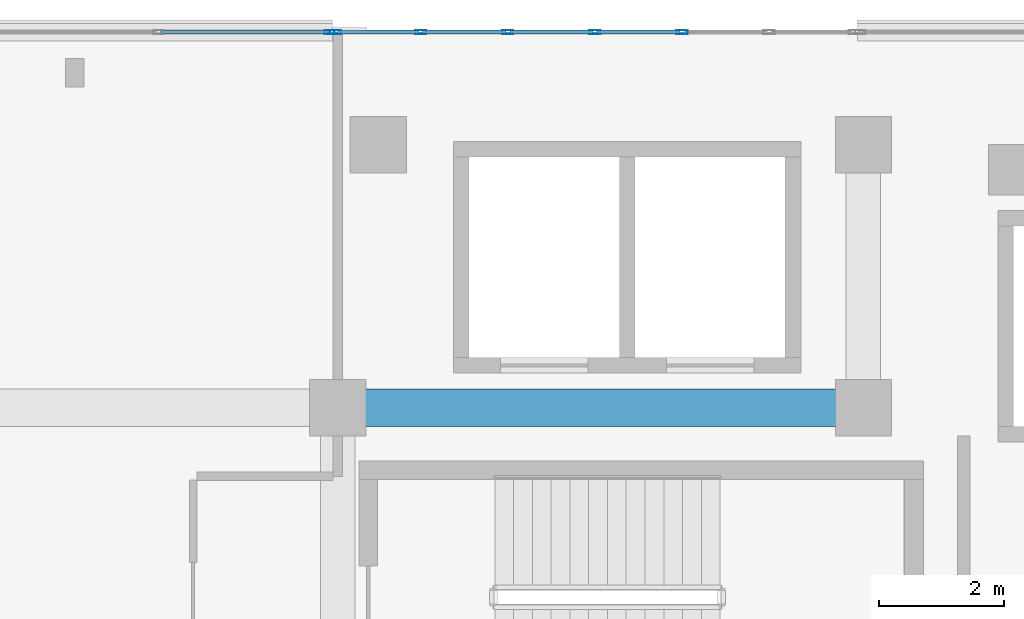
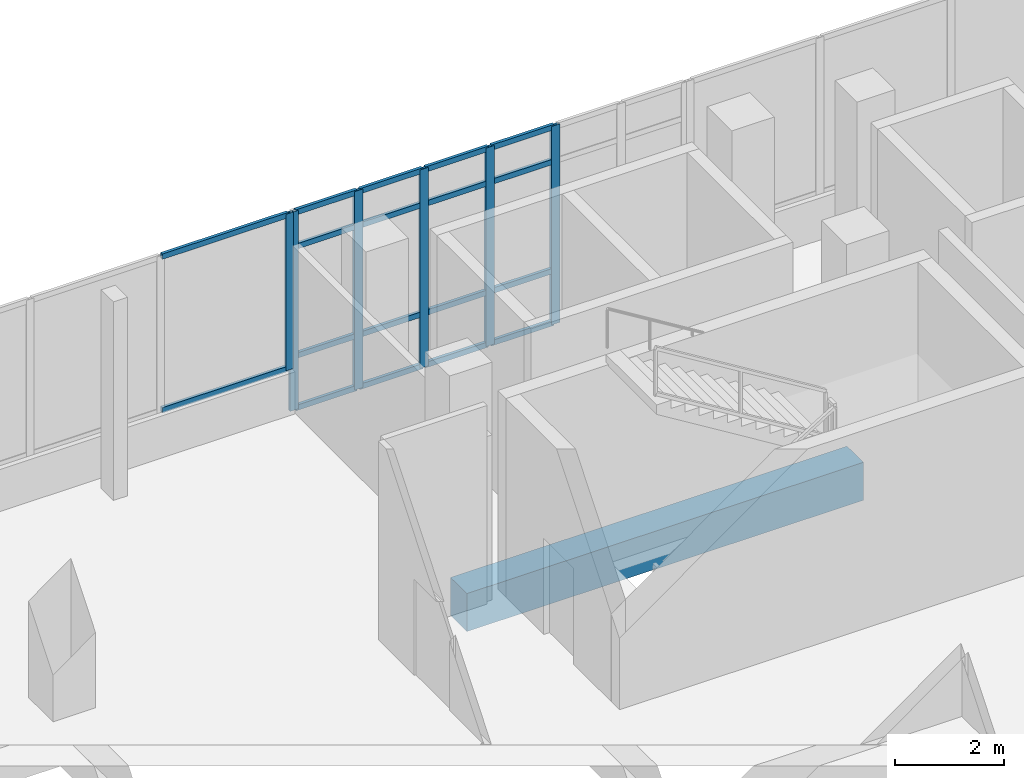
# One storey, part 82 of 168: 24 members, 1 beam, 2 elements without a shape of their own.
"""IFC4 building model written with IfcOpenShell, lengths in metres."""

from ifc_helpers import new_model, si_unit, direction, frame, origin, origin_2d, place, context, subcontext, project, spatial, rectangle, hollow_rectangle, extrude, material, material_profile, profile_set, type_object, element, aggregate, save


model = new_model("IFC4")

# Units and contexts
model_context = context("Model", 3, precision=1e-05, world=origin(), true_north=direction((0.0, 1.0)))
body_context = subcontext(model_context, "Body", "Model", "MODEL_VIEW")
ifc_project = project(units=[si_unit("LENGTHUNIT", "METRE"), si_unit("AREAUNIT", "SQUARE_METRE"), si_unit("VOLUMEUNIT", "CUBIC_METRE"), si_unit("PLANEANGLEUNIT", "RADIAN"), si_unit("MASSUNIT", "GRAM", prefix="KILO")], contexts=[model_context])

# Site, building, storey
site_placement = place(None, origin())
site = spatial("IfcSite", under=ifc_project, at=site_placement, CompositionType="ELEMENT")
building_placement = place(site_placement, origin())
building = spatial("IfcBuilding", under=site, at=building_placement, Name="Selatvlak General Hospital", CompositionType="ELEMENT")
storey_placement = place(building_placement, frame((0.0, 0.0, 5.39990234375)))
storey = spatial("IfcBuildingStorey", under=building, at=storey_placement, Name="L01", CompositionType="ELEMENT", Elevation=5.39990234375)

# Beam
ifc_material_1 = material(Name="Concrete C40/50", Category="concrete")
ifc_material_profile_1 = material_profile(ifc_material_1, rectangle(XDim=0.60009765625, YDim=0.85009765625, at=origin_2d()), Name="RC-BM 600x850")
ifc_profile_set_1 = profile_set([ifc_material_profile_1], Name="Concrete C40/50")
beam_type = type_object("IfcBeamType", Name="BM-G01", PredefinedType="BEAM", material=ifc_profile_set_1)
beam_placement = place(storey_placement, frame((48.0, 114.0, -0.744873046875), z_axis=(1.0, 0.0, 0.0), x_axis=(0.0, 1.0, 0.0)))
element("IfcBeam", 1, at=beam_placement, inside=storey, type_object=beam_type, Name="Beam BMR-L01-0514", PredefinedType="BEAM", context=body_context, shape_type="SweptSolid", body=[
    extrude(rectangle(XDim=0.60009765625, YDim=0.85009765625, at=origin_2d()), origin(), (0.0, 0.0, 1.0), 8.39990234375),
])

# Curtain wall, member
ifc_material_2 = material(Name="Solar-control Low-E double glazing", Category="glass")
curtain_wall_type_1 = type_object("IfcCurtainWallType", Name="CW-CW-02", PredefinedType="USERDEFINED", material=ifc_material_2)
curtain_wall_1_placement = place(storey_placement, origin())
curtain_wall_1 = element("IfcCurtainWall", 2, at=curtain_wall_1_placement, inside=storey, type_object=curtain_wall_type_1, Name="Glazed facade curtain wall CW-L01-0115", ObjectType="UNITISED CURTAIN WALL", PredefinedType="USERDEFINED")
ifc_material_3 = material(Name="Dark anodised aluminium mullion", Category="aluminium")
ifc_material_profile_2 = material_profile(ifc_material_3, hollow_rectangle(XDim=0.06494140625, YDim=0.159912109375, WallThickness=0.00390625, at=origin_2d()), Name="AL-MUL 65x160x4")
ifc_profile_set_2 = profile_set([ifc_material_profile_2], Name="Dark anodised aluminium mullion")
member_type_1 = type_object("IfcMemberType", Name="CWM-01", PredefinedType="MULLION", material=ifc_profile_set_2)
member_1_placement = place(storey_placement, frame((47.87255859375, 119.9990234375, 0.940185546875), z_axis=(0.0, 0.0, 1.0), x_axis=(0.0, 1.0, 0.0)))
member_1 = element("IfcMember", 3, at=member_1_placement, type_object=member_type_1, Name="CW-02 mullion 4", PredefinedType="MULLION", context=body_context, shape_type="SweptSolid", body=[
    extrude(hollow_rectangle(XDim=0.06494140625, YDim=0.159912109375, WallThickness=0.00390625, at=origin_2d()), origin(), (0.0, 0.0, 1.0), 3.5048828125),
])

# Curtain wall, members
curtain_wall_type_2 = type_object("IfcCurtainWallType", Name="CW-CW-04", PredefinedType="USERDEFINED", material=ifc_material_2)
curtain_wall_2_placement = place(storey_placement, origin())
curtain_wall_2 = element("IfcCurtainWall", 4, at=curtain_wall_2_placement, inside=storey, type_object=curtain_wall_type_2, Name="Glazed facade curtain wall CW-L01-0116", ObjectType="STICK GLAZING WALL", PredefinedType="USERDEFINED")
ifc_material_profile_3 = material_profile(ifc_material_3, hollow_rectangle(XDim=0.06494140625, YDim=0.179931640625, WallThickness=0.00439453125, at=origin_2d()), Name="AL-MUL 65x180x4.5")
ifc_profile_set_3 = profile_set([ifc_material_profile_3], Name="Dark anodised aluminium mullion")
member_type_2 = type_object("IfcMemberType", Name="CWM-02", PredefinedType="MULLION", material=ifc_profile_set_3)
member_2_placement = place(storey_placement, frame((47.967529296875, 119.9990234375, 0.0), z_axis=(0.0, 0.0, 1.0), x_axis=(0.0, 1.0, 0.0)))
member_2 = element("IfcMember", 5, at=member_2_placement, type_object=member_type_2, Name="CW-04 mullion 1", PredefinedType="MULLION", context=body_context, shape_type="SweptSolid", body=[
    extrude(hollow_rectangle(XDim=0.06494140625, YDim=0.179931640625, WallThickness=0.00439453125, at=origin_2d()), origin(), (0.0, 0.0, 1.0), 4.445068359375),
])
member_3_placement = place(storey_placement, frame((49.32666015625, 119.9990234375, 0.0), z_axis=(0.0, 0.0, 1.0), x_axis=(0.0, 1.0, 0.0)))
member_3 = element("IfcMember", 6, at=member_3_placement, type_object=member_type_2, Name="CW-04 mullion 2", PredefinedType="MULLION", context=body_context, shape_type="SweptSolid", body=[
    extrude(hollow_rectangle(XDim=0.06494140625, YDim=0.179931640625, WallThickness=0.00439453125, at=origin_2d()), origin(), (0.0, 0.0, 1.0), 4.445068359375),
])
member_4_placement = place(storey_placement, frame((50.71826171875, 119.9990234375, 0.0), z_axis=(0.0, 0.0, 1.0), x_axis=(0.0, 1.0, 0.0)))
member_4 = element("IfcMember", 7, at=member_4_placement, type_object=member_type_2, Name="CW-04 mullion 3", PredefinedType="MULLION", context=body_context, shape_type="SweptSolid", body=[
    extrude(hollow_rectangle(XDim=0.06494140625, YDim=0.179931640625, WallThickness=0.00439453125, at=origin_2d()), origin(), (0.0, 0.0, 1.0), 4.445068359375),
])
member_5_placement = place(storey_placement, frame((52.110107421875, 119.9990234375, 0.0), z_axis=(0.0, 0.0, 1.0), x_axis=(0.0, 1.0, 0.0)))
member_5 = element("IfcMember", 8, at=member_5_placement, type_object=member_type_2, Name="CW-04 mullion 4", PredefinedType="MULLION", context=body_context, shape_type="SweptSolid", body=[
    extrude(hollow_rectangle(XDim=0.06494140625, YDim=0.179931640625, WallThickness=0.00439453125, at=origin_2d()), origin(), (0.0, 0.0, 1.0), 4.445068359375),
])
member_6_placement = place(storey_placement, frame((53.501708984375, 119.9990234375, 0.0), z_axis=(0.0, 0.0, 1.0), x_axis=(0.0, 1.0, 0.0)))
member_6 = element("IfcMember", 9, at=member_6_placement, type_object=member_type_2, Name="CW-04 mullion 5", PredefinedType="MULLION", context=body_context, shape_type="SweptSolid", body=[
    extrude(hollow_rectangle(XDim=0.06494140625, YDim=0.179931640625, WallThickness=0.00439453125, at=origin_2d()), origin(), (0.0, 0.0, 1.0), 4.445068359375),
])

# Member
ifc_material_profile_4 = material_profile(ifc_material_3, hollow_rectangle(XDim=0.06494140625, YDim=0.1201171875, WallThickness=0.00390625, at=origin_2d()), Name="AL-TRN 65x120x4")
ifc_profile_set_4 = profile_set([ifc_material_profile_4], Name="Dark anodised aluminium mullion")
member_type_3 = type_object("IfcMemberType", Name="CWT-01", PredefinedType="USERDEFINED", material=ifc_profile_set_4)
member_7_placement = place(storey_placement, frame((45.1708984375, 119.9990234375, 0.97265625), z_axis=(1.0, 0.0, 0.0), x_axis=(0.0, 1.0, 0.0)))
member_7 = element("IfcMember", 10, at=member_7_placement, type_object=member_type_3, Name="CW-02 transom 3.1", ObjectType="TRANSOM", PredefinedType="USERDEFINED", context=body_context, shape_type="SweptSolid", body=[
    extrude(hollow_rectangle(XDim=0.06494140625, YDim=0.1201171875, WallThickness=0.00390625, at=origin_2d()), origin(), (0.0, 0.0, 1.0), 2.669189453125),
])

member_8_placement = place(storey_placement, frame((45.1708984375, 119.9990234375, 4.41259765625), z_axis=(1.0, 0.0, 0.0), x_axis=(0.0, 1.0, 0.0)))
member_8 = element("IfcMember", 11, at=member_8_placement, type_object=member_type_3, Name="CW-02 transom 3.2", ObjectType="TRANSOM", PredefinedType="USERDEFINED", context=body_context, shape_type="SweptSolid", body=[
    extrude(hollow_rectangle(XDim=0.06494140625, YDim=0.1201171875, WallThickness=0.00390625, at=origin_2d()), origin(), (0.0, 0.0, 1.0), 2.669189453125),
])

aggregate(curtain_wall_1, [member_1, member_7, member_8])

member_9_placement = place(storey_placement, frame((48.0, 119.9990234375, 0.03271484375), z_axis=(1.0, 0.0, 0.0), x_axis=(0.0, 1.0, 0.0)))
member_9 = element("IfcMember", 12, at=member_9_placement, type_object=member_type_3, Name="CW-04 transom 1.1", ObjectType="TRANSOM", PredefinedType="USERDEFINED", context=body_context, shape_type="SweptSolid", body=[
    extrude(hollow_rectangle(XDim=0.06494140625, YDim=0.1201171875, WallThickness=0.00390625, at=origin_2d()), origin(), (0.0, 0.0, 1.0), 1.294189453125),
])

member_10_placement = place(storey_placement, frame((48.0, 119.9990234375, 1.2001953125), z_axis=(1.0, 0.0, 0.0), x_axis=(0.0, 1.0, 0.0)))
member_10 = element("IfcMember", 13, at=member_10_placement, type_object=member_type_3, Name="CW-04 transom 1.2", ObjectType="TRANSOM", PredefinedType="USERDEFINED", context=body_context, shape_type="SweptSolid", body=[
    extrude(hollow_rectangle(XDim=0.06494140625, YDim=0.1201171875, WallThickness=0.00390625, at=origin_2d()), origin(), (0.0, 0.0, 1.0), 1.294189453125),
])

member_11_placement = place(storey_placement, frame((48.0, 119.9990234375, 3.64501953125), z_axis=(1.0, 0.0, 0.0), x_axis=(0.0, 1.0, 0.0)))
member_11 = element("IfcMember", 14, at=member_11_placement, type_object=member_type_3, Name="CW-04 transom 1.3", ObjectType="TRANSOM", PredefinedType="USERDEFINED", context=body_context, shape_type="SweptSolid", body=[
    extrude(hollow_rectangle(XDim=0.06494140625, YDim=0.1201171875, WallThickness=0.00390625, at=origin_2d()), origin(), (0.0, 0.0, 1.0), 1.294189453125),
])

member_12_placement = place(storey_placement, frame((48.0, 119.9990234375, 4.41259765625), z_axis=(1.0, 0.0, 0.0), x_axis=(0.0, 1.0, 0.0)))
member_12 = element("IfcMember", 15, at=member_12_placement, type_object=member_type_3, Name="CW-04 transom 1.4", ObjectType="TRANSOM", PredefinedType="USERDEFINED", context=body_context, shape_type="SweptSolid", body=[
    extrude(hollow_rectangle(XDim=0.06494140625, YDim=0.1201171875, WallThickness=0.00390625, at=origin_2d()), origin(), (0.0, 0.0, 1.0), 1.294189453125),
])

member_13_placement = place(storey_placement, frame((49.359130859375, 119.9990234375, 0.03271484375), z_axis=(1.0, 0.0, 0.0), x_axis=(0.0, 1.0, 0.0)))
member_13 = element("IfcMember", 16, at=member_13_placement, type_object=member_type_3, Name="CW-04 transom 2.1", ObjectType="TRANSOM", PredefinedType="USERDEFINED", context=body_context, shape_type="SweptSolid", body=[
    extrude(hollow_rectangle(XDim=0.06494140625, YDim=0.1201171875, WallThickness=0.00390625, at=origin_2d()), origin(), (0.0, 0.0, 1.0), 1.32666015625),
])

member_14_placement = place(storey_placement, frame((49.359130859375, 119.9990234375, 1.2001953125), z_axis=(1.0, 0.0, 0.0), x_axis=(0.0, 1.0, 0.0)))
member_14 = element("IfcMember", 17, at=member_14_placement, type_object=member_type_3, Name="CW-04 transom 2.2", ObjectType="TRANSOM", PredefinedType="USERDEFINED", context=body_context, shape_type="SweptSolid", body=[
    extrude(hollow_rectangle(XDim=0.06494140625, YDim=0.1201171875, WallThickness=0.00390625, at=origin_2d()), origin(), (0.0, 0.0, 1.0), 1.32666015625),
])

member_15_placement = place(storey_placement, frame((49.359130859375, 119.9990234375, 3.64501953125), z_axis=(1.0, 0.0, 0.0), x_axis=(0.0, 1.0, 0.0)))
member_15 = element("IfcMember", 18, at=member_15_placement, type_object=member_type_3, Name="CW-04 transom 2.3", ObjectType="TRANSOM", PredefinedType="USERDEFINED", context=body_context, shape_type="SweptSolid", body=[
    extrude(hollow_rectangle(XDim=0.06494140625, YDim=0.1201171875, WallThickness=0.00390625, at=origin_2d()), origin(), (0.0, 0.0, 1.0), 1.32666015625),
])

member_16_placement = place(storey_placement, frame((49.359130859375, 119.9990234375, 4.41259765625), z_axis=(1.0, 0.0, 0.0), x_axis=(0.0, 1.0, 0.0)))
member_16 = element("IfcMember", 19, at=member_16_placement, type_object=member_type_3, Name="CW-04 transom 2.4", ObjectType="TRANSOM", PredefinedType="USERDEFINED", context=body_context, shape_type="SweptSolid", body=[
    extrude(hollow_rectangle(XDim=0.06494140625, YDim=0.1201171875, WallThickness=0.00390625, at=origin_2d()), origin(), (0.0, 0.0, 1.0), 1.32666015625),
])

member_17_placement = place(storey_placement, frame((50.750732421875, 119.9990234375, 0.03271484375), z_axis=(1.0, 0.0, 0.0), x_axis=(0.0, 1.0, 0.0)))
member_17 = element("IfcMember", 20, at=member_17_placement, type_object=member_type_3, Name="CW-04 transom 3.1", ObjectType="TRANSOM", PredefinedType="USERDEFINED", context=body_context, shape_type="SweptSolid", body=[
    extrude(hollow_rectangle(XDim=0.06494140625, YDim=0.1201171875, WallThickness=0.00390625, at=origin_2d()), origin(), (0.0, 0.0, 1.0), 1.32666015625),
])

member_18_placement = place(storey_placement, frame((50.750732421875, 119.9990234375, 1.2001953125), z_axis=(1.0, 0.0, 0.0), x_axis=(0.0, 1.0, 0.0)))
member_18 = element("IfcMember", 21, at=member_18_placement, type_object=member_type_3, Name="CW-04 transom 3.2", ObjectType="TRANSOM", PredefinedType="USERDEFINED", context=body_context, shape_type="SweptSolid", body=[
    extrude(hollow_rectangle(XDim=0.06494140625, YDim=0.1201171875, WallThickness=0.00390625, at=origin_2d()), origin(), (0.0, 0.0, 1.0), 1.32666015625),
])

member_19_placement = place(storey_placement, frame((50.750732421875, 119.9990234375, 3.64501953125), z_axis=(1.0, 0.0, 0.0), x_axis=(0.0, 1.0, 0.0)))
member_19 = element("IfcMember", 22, at=member_19_placement, type_object=member_type_3, Name="CW-04 transom 3.3", ObjectType="TRANSOM", PredefinedType="USERDEFINED", context=body_context, shape_type="SweptSolid", body=[
    extrude(hollow_rectangle(XDim=0.06494140625, YDim=0.1201171875, WallThickness=0.00390625, at=origin_2d()), origin(), (0.0, 0.0, 1.0), 1.32666015625),
])

member_20_placement = place(storey_placement, frame((50.750732421875, 119.9990234375, 4.41259765625), z_axis=(1.0, 0.0, 0.0), x_axis=(0.0, 1.0, 0.0)))
member_20 = element("IfcMember", 23, at=member_20_placement, type_object=member_type_3, Name="CW-04 transom 3.4", ObjectType="TRANSOM", PredefinedType="USERDEFINED", context=body_context, shape_type="SweptSolid", body=[
    extrude(hollow_rectangle(XDim=0.06494140625, YDim=0.1201171875, WallThickness=0.00390625, at=origin_2d()), origin(), (0.0, 0.0, 1.0), 1.32666015625),
])

member_21_placement = place(storey_placement, frame((52.142578125, 119.9990234375, 0.03271484375), z_axis=(1.0, 0.0, 0.0), x_axis=(0.0, 1.0, 0.0)))
member_21 = element("IfcMember", 24, at=member_21_placement, type_object=member_type_3, Name="CW-04 transom 4.1", ObjectType="TRANSOM", PredefinedType="USERDEFINED", context=body_context, shape_type="SweptSolid", body=[
    extrude(hollow_rectangle(XDim=0.06494140625, YDim=0.1201171875, WallThickness=0.00390625, at=origin_2d()), origin(), (0.0, 0.0, 1.0), 1.32666015625),
])

member_22_placement = place(storey_placement, frame((52.142578125, 119.9990234375, 1.2001953125), z_axis=(1.0, 0.0, 0.0), x_axis=(0.0, 1.0, 0.0)))
member_22 = element("IfcMember", 25, at=member_22_placement, type_object=member_type_3, Name="CW-04 transom 4.2", ObjectType="TRANSOM", PredefinedType="USERDEFINED", context=body_context, shape_type="SweptSolid", body=[
    extrude(hollow_rectangle(XDim=0.06494140625, YDim=0.1201171875, WallThickness=0.00390625, at=origin_2d()), origin(), (0.0, 0.0, 1.0), 1.32666015625),
])

member_23_placement = place(storey_placement, frame((52.142578125, 119.9990234375, 3.64501953125), z_axis=(1.0, 0.0, 0.0), x_axis=(0.0, 1.0, 0.0)))
member_23 = element("IfcMember", 26, at=member_23_placement, type_object=member_type_3, Name="CW-04 transom 4.3", ObjectType="TRANSOM", PredefinedType="USERDEFINED", context=body_context, shape_type="SweptSolid", body=[
    extrude(hollow_rectangle(XDim=0.06494140625, YDim=0.1201171875, WallThickness=0.00390625, at=origin_2d()), origin(), (0.0, 0.0, 1.0), 1.32666015625),
])

member_24_placement = place(storey_placement, frame((52.142578125, 119.9990234375, 4.41259765625), z_axis=(1.0, 0.0, 0.0), x_axis=(0.0, 1.0, 0.0)))
member_24 = element("IfcMember", 27, at=member_24_placement, type_object=member_type_3, Name="CW-04 transom 4.4", ObjectType="TRANSOM", PredefinedType="USERDEFINED", context=body_context, shape_type="SweptSolid", body=[
    extrude(hollow_rectangle(XDim=0.06494140625, YDim=0.1201171875, WallThickness=0.00390625, at=origin_2d()), origin(), (0.0, 0.0, 1.0), 1.32666015625),
])

aggregate(curtain_wall_2, [member_2, member_3, member_4, member_5, member_6, member_9, member_10, member_11, member_12, member_13, member_14, member_15, member_16, member_17, member_18, member_19, member_20, member_21, member_22, member_23, member_24])

save(model, "model.ifc")
